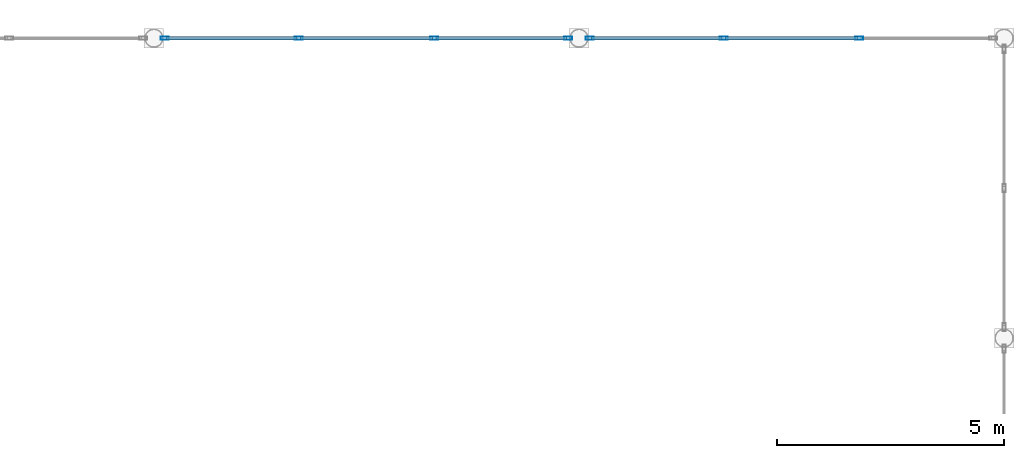
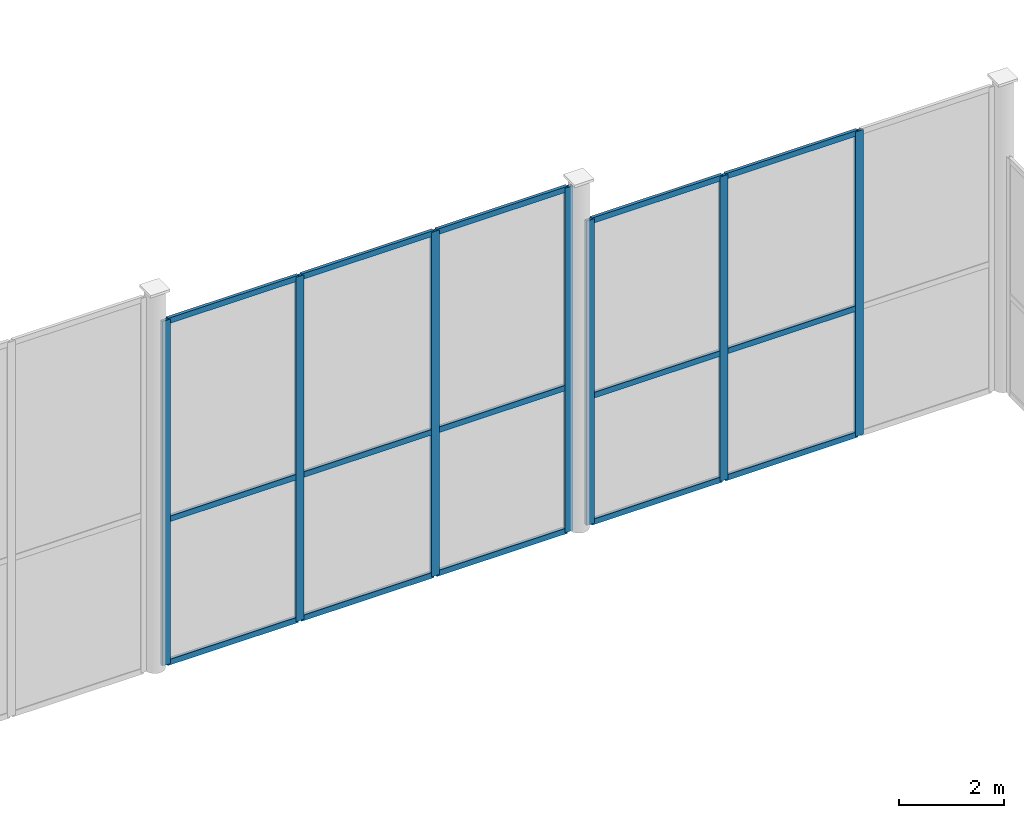
# One storey, part 48 of 77: 22 members, 2 elements without a shape of their own.
"""IFC4 building model written with IfcOpenShell, lengths in metres."""

from ifc_helpers import new_model, si_unit, direction, frame, origin, origin_2d, place, context, subcontext, project, spatial, hollow_rectangle, extrude, material, layer, layer_set, material_profile, profile_set, type_object, element, aggregate, save


model = new_model("IFC4")

# Units and contexts
model_context = context("Model", 3, precision=1e-05, world=origin(), true_north=direction((0.0, 1.0)))
body_context = subcontext(model_context, "Body", "Model", "MODEL_VIEW")
ifc_project = project(units=[si_unit("LENGTHUNIT", "METRE"), si_unit("AREAUNIT", "SQUARE_METRE"), si_unit("VOLUMEUNIT", "CUBIC_METRE"), si_unit("PLANEANGLEUNIT", "RADIAN"), si_unit("MASSUNIT", "GRAM", prefix="KILO")], contexts=[model_context])

# Site, building, storey
site_placement = place(None, origin())
site = spatial("IfcSite", under=ifc_project, at=site_placement, CompositionType="ELEMENT")
building_placement = place(site_placement, origin())
building = spatial("IfcBuilding", under=site, at=building_placement, Name="Quillay Park Conservatory", CompositionType="ELEMENT")
storey_placement = place(building_placement, frame((0.0, 0.0, 5.39990234375)))
storey = spatial("IfcBuildingStorey", under=building, at=storey_placement, Name="L01", CompositionType="ELEMENT", Elevation=5.39990234375)

# Curtain wall, members
ifc_material_1 = material(Name="Thermally Broken Anodised Aluminium 6063-T6", Category="aluminium")
ifc_layer = layer(ifc_material_1, 0.219970703125)
ifc_layer_set = layer_set([ifc_layer], Name="UNITISED CURTAIN WALL CONSERVATORY (Thermally Broken Anodised Aluminium 6063-T6)")
curtain_wall_type = type_object("IfcCurtainWallType", Name="UNITISED CURTAIN WALL CONSERVATORY", PredefinedType="USERDEFINED", material=ifc_layer_set)
curtain_wall_1_placement = place(storey_placement, origin())
curtain_wall_1 = element("IfcCurtainWall", 1, at=curtain_wall_1_placement, inside=storey, type_object=curtain_wall_type, Name="L01 Unitised Curtain Wall 160", ObjectType="UNITISED CURTAIN WALL", PredefinedType="USERDEFINED")
ifc_material_2 = material(Name="Thermally Broken Anodised Aluminium 6063-T6", Category="aluminium")
ifc_material_profile_1 = material_profile(ifc_material_2, hollow_rectangle(XDim=0.070068359375, YDim=0.179931640625, WallThickness=0.00390625, at=origin_2d()), Name="AL70x180x4")
ifc_profile_set_1 = profile_set([ifc_material_profile_1], Name="Thermally Broken Anodised Aluminium 6063-T6")
member_type_1 = type_object("IfcMemberType", Name="CURTAIN WALL MULLION 70 X180", PredefinedType="MULLION", material=ifc_profile_set_1)
member_1_placement = place(storey_placement, frame((96.3759765625, 113.39990234375, 0.0), z_axis=(0.0, 0.0, 1.0), x_axis=(0.0, 1.0, 0.0)))
member_1 = element("IfcMember", 2, at=member_1_placement, type_object=member_type_1, Name="CW-C1 mullion 1", PredefinedType="MULLION", context=body_context, shape_type="SweptSolid", body=[
    extrude(hollow_rectangle(XDim=0.070068359375, YDim=0.179931640625, WallThickness=0.00390625, at=origin_2d()), origin(), (0.0, 0.0, 1.0), 8.037841796875),
])
member_2_placement = place(storey_placement, frame((99.32470703125, 113.39990234375, 0.0), z_axis=(0.0, 0.0, 1.0), x_axis=(0.0, 1.0, 0.0)))
member_2 = element("IfcMember", 3, at=member_2_placement, type_object=member_type_1, Name="CW-C1 mullion 2", PredefinedType="MULLION", context=body_context, shape_type="SweptSolid", body=[
    extrude(hollow_rectangle(XDim=0.070068359375, YDim=0.179931640625, WallThickness=0.00390625, at=origin_2d()), origin(), (0.0, 0.0, 1.0), 8.037841796875),
])
member_3_placement = place(storey_placement, frame((102.30859375, 113.39990234375, 0.0), z_axis=(0.0, 0.0, 1.0), x_axis=(0.0, 1.0, 0.0)))
member_3 = element("IfcMember", 4, at=member_3_placement, type_object=member_type_1, Name="CW-C1 mullion 3", PredefinedType="MULLION", context=body_context, shape_type="SweptSolid", body=[
    extrude(hollow_rectangle(XDim=0.070068359375, YDim=0.179931640625, WallThickness=0.00390625, at=origin_2d()), origin(), (0.0, 0.0, 1.0), 8.037841796875),
])
member_4_placement = place(storey_placement, frame((105.25732421875, 113.39990234375, 0.0), z_axis=(0.0, 0.0, 1.0), x_axis=(0.0, 1.0, 0.0)))
member_4 = element("IfcMember", 5, at=member_4_placement, type_object=member_type_1, Name="CW-C1 mullion 4", PredefinedType="MULLION", context=body_context, shape_type="SweptSolid", body=[
    extrude(hollow_rectangle(XDim=0.070068359375, YDim=0.179931640625, WallThickness=0.00390625, at=origin_2d()), origin(), (0.0, 0.0, 1.0), 8.037841796875),
])

curtain_wall_2_placement = place(storey_placement, origin())
curtain_wall_2 = element("IfcCurtainWall", 6, at=curtain_wall_2_placement, inside=storey, type_object=curtain_wall_type, Name="L01 Unitised Curtain Wall 162", ObjectType="UNITISED CURTAIN WALL", PredefinedType="USERDEFINED")
member_5_placement = place(storey_placement, frame((105.7314453125, 113.39990234375, 0.0), z_axis=(0.0, 0.0, 1.0), x_axis=(0.0, 1.0, 0.0)))
member_5 = element("IfcMember", 7, at=member_5_placement, type_object=member_type_1, Name="CW-C1 mullion 1", PredefinedType="MULLION", context=body_context, shape_type="SweptSolid", body=[
    extrude(hollow_rectangle(XDim=0.070068359375, YDim=0.179931640625, WallThickness=0.00390625, at=origin_2d()), origin(), (0.0, 0.0, 1.0), 7.104248046875),
])
member_6_placement = place(storey_placement, frame((108.68017578125, 113.39990234375, 0.0), z_axis=(0.0, 0.0, 1.0), x_axis=(0.0, 1.0, 0.0)))
member_6 = element("IfcMember", 8, at=member_6_placement, type_object=member_type_1, Name="CW-C1 mullion 2", PredefinedType="MULLION", context=body_context, shape_type="SweptSolid", body=[
    extrude(hollow_rectangle(XDim=0.070068359375, YDim=0.179931640625, WallThickness=0.00390625, at=origin_2d()), origin(), (0.0, 0.0, 1.0), 7.104248046875),
])
member_7_placement = place(storey_placement, frame((111.6640625, 113.39990234375, 0.0), z_axis=(0.0, 0.0, 1.0), x_axis=(0.0, 1.0, 0.0)))
member_7 = element("IfcMember", 9, at=member_7_placement, type_object=member_type_1, Name="CW-C1 mullion 3", PredefinedType="MULLION", context=body_context, shape_type="SweptSolid", body=[
    extrude(hollow_rectangle(XDim=0.070068359375, YDim=0.179931640625, WallThickness=0.00390625, at=origin_2d()), origin(), (0.0, 0.0, 1.0), 7.104248046875),
])

# Member
ifc_material_3 = material(Name="Thermally Broken Anodised Aluminium 6063-T6", Category="aluminium")
ifc_material_profile_2 = material_profile(ifc_material_3, hollow_rectangle(XDim=0.070068359375, YDim=0.1298828125, WallThickness=0.003173828125, at=origin_2d()), Name="AL70x130x3.2")
ifc_profile_set_2 = profile_set([ifc_material_profile_2], Name="Thermally Broken Anodised Aluminium 6063-T6")
member_type_2 = type_object("IfcMemberType", Name="CURTAIN WALL TRANSOM 70 X130", PredefinedType="USERDEFINED", material=ifc_profile_set_2)
member_8_placement = place(storey_placement, frame((96.410888671875, 113.39990234375, 0.03515625), z_axis=(1.0, 0.0, 0.0), x_axis=(0.0, 1.0, 0.0)))
member_8 = element("IfcMember", 10, at=member_8_placement, type_object=member_type_2, Name="CW-C1 transom 1.1", ObjectType="TRANSOM", PredefinedType="USERDEFINED", context=body_context, shape_type="SweptSolid", body=[
    extrude(hollow_rectangle(XDim=0.070068359375, YDim=0.1298828125, WallThickness=0.003173828125, at=origin_2d()), origin(), (0.0, 0.0, 1.0), 2.87890625),
])

member_9_placement = place(storey_placement, frame((96.410888671875, 113.39990234375, 3.3759765625), z_axis=(1.0, 0.0, 0.0), x_axis=(0.0, 1.0, 0.0)))
member_9 = element("IfcMember", 11, at=member_9_placement, type_object=member_type_2, Name="CW-C1 transom 1.2", ObjectType="TRANSOM", PredefinedType="USERDEFINED", context=body_context, shape_type="SweptSolid", body=[
    extrude(hollow_rectangle(XDim=0.070068359375, YDim=0.1298828125, WallThickness=0.003173828125, at=origin_2d()), origin(), (0.0, 0.0, 1.0), 2.87890625),
])

member_10_placement = place(storey_placement, frame((96.410888671875, 113.39990234375, 8.0029296875), z_axis=(1.0, 0.0, 0.0), x_axis=(0.0, 1.0, 0.0)))
member_10 = element("IfcMember", 12, at=member_10_placement, type_object=member_type_2, Name="CW-C1 transom 1.3", ObjectType="TRANSOM", PredefinedType="USERDEFINED", context=body_context, shape_type="SweptSolid", body=[
    extrude(hollow_rectangle(XDim=0.070068359375, YDim=0.1298828125, WallThickness=0.003173828125, at=origin_2d()), origin(), (0.0, 0.0, 1.0), 2.87890625),
])

member_11_placement = place(storey_placement, frame((99.359619140625, 113.39990234375, 0.03515625), z_axis=(1.0, 0.0, 0.0), x_axis=(0.0, 1.0, 0.0)))
member_11 = element("IfcMember", 13, at=member_11_placement, type_object=member_type_2, Name="CW-C1 transom 2.1", ObjectType="TRANSOM", PredefinedType="USERDEFINED", context=body_context, shape_type="SweptSolid", body=[
    extrude(hollow_rectangle(XDim=0.070068359375, YDim=0.1298828125, WallThickness=0.003173828125, at=origin_2d()), origin(), (0.0, 0.0, 1.0), 2.9140625),
])

member_12_placement = place(storey_placement, frame((99.359619140625, 113.39990234375, 3.3759765625), z_axis=(1.0, 0.0, 0.0), x_axis=(0.0, 1.0, 0.0)))
member_12 = element("IfcMember", 14, at=member_12_placement, type_object=member_type_2, Name="CW-C1 transom 2.2", ObjectType="TRANSOM", PredefinedType="USERDEFINED", context=body_context, shape_type="SweptSolid", body=[
    extrude(hollow_rectangle(XDim=0.070068359375, YDim=0.1298828125, WallThickness=0.003173828125, at=origin_2d()), origin(), (0.0, 0.0, 1.0), 2.9140625),
])

member_13_placement = place(storey_placement, frame((99.359619140625, 113.39990234375, 8.0029296875), z_axis=(1.0, 0.0, 0.0), x_axis=(0.0, 1.0, 0.0)))
member_13 = element("IfcMember", 15, at=member_13_placement, type_object=member_type_2, Name="CW-C1 transom 2.3", ObjectType="TRANSOM", PredefinedType="USERDEFINED", context=body_context, shape_type="SweptSolid", body=[
    extrude(hollow_rectangle(XDim=0.070068359375, YDim=0.1298828125, WallThickness=0.003173828125, at=origin_2d()), origin(), (0.0, 0.0, 1.0), 2.9140625),
])

member_14_placement = place(storey_placement, frame((102.343505859375, 113.39990234375, 0.03515625), z_axis=(1.0, 0.0, 0.0), x_axis=(0.0, 1.0, 0.0)))
member_14 = element("IfcMember", 16, at=member_14_placement, type_object=member_type_2, Name="CW-C1 transom 3.1", ObjectType="TRANSOM", PredefinedType="USERDEFINED", context=body_context, shape_type="SweptSolid", body=[
    extrude(hollow_rectangle(XDim=0.070068359375, YDim=0.1298828125, WallThickness=0.003173828125, at=origin_2d()), origin(), (0.0, 0.0, 1.0), 2.87890625),
])

member_15_placement = place(storey_placement, frame((102.343505859375, 113.39990234375, 3.3759765625), z_axis=(1.0, 0.0, 0.0), x_axis=(0.0, 1.0, 0.0)))
member_15 = element("IfcMember", 17, at=member_15_placement, type_object=member_type_2, Name="CW-C1 transom 3.2", ObjectType="TRANSOM", PredefinedType="USERDEFINED", context=body_context, shape_type="SweptSolid", body=[
    extrude(hollow_rectangle(XDim=0.070068359375, YDim=0.1298828125, WallThickness=0.003173828125, at=origin_2d()), origin(), (0.0, 0.0, 1.0), 2.87890625),
])

member_16_placement = place(storey_placement, frame((102.343505859375, 113.39990234375, 8.0029296875), z_axis=(1.0, 0.0, 0.0), x_axis=(0.0, 1.0, 0.0)))
member_16 = element("IfcMember", 18, at=member_16_placement, type_object=member_type_2, Name="CW-C1 transom 3.3", ObjectType="TRANSOM", PredefinedType="USERDEFINED", context=body_context, shape_type="SweptSolid", body=[
    extrude(hollow_rectangle(XDim=0.070068359375, YDim=0.1298828125, WallThickness=0.003173828125, at=origin_2d()), origin(), (0.0, 0.0, 1.0), 2.87890625),
])

aggregate(curtain_wall_1, [member_1, member_2, member_3, member_4, member_8, member_9, member_10, member_11, member_12, member_13, member_14, member_15, member_16])

member_17_placement = place(storey_placement, frame((105.766357421875, 113.39990234375, 0.03515625), z_axis=(1.0, 0.0, 0.0), x_axis=(0.0, 1.0, 0.0)))
member_17 = element("IfcMember", 19, at=member_17_placement, type_object=member_type_2, Name="CW-C1 transom 1.1", ObjectType="TRANSOM", PredefinedType="USERDEFINED", context=body_context, shape_type="SweptSolid", body=[
    extrude(hollow_rectangle(XDim=0.070068359375, YDim=0.1298828125, WallThickness=0.003173828125, at=origin_2d()), origin(), (0.0, 0.0, 1.0), 2.87890625),
])

member_18_placement = place(storey_placement, frame((105.766357421875, 113.39990234375, 2.98388671875), z_axis=(1.0, 0.0, 0.0), x_axis=(0.0, 1.0, 0.0)))
member_18 = element("IfcMember", 20, at=member_18_placement, type_object=member_type_2, Name="CW-C1 transom 1.2", ObjectType="TRANSOM", PredefinedType="USERDEFINED", context=body_context, shape_type="SweptSolid", body=[
    extrude(hollow_rectangle(XDim=0.070068359375, YDim=0.1298828125, WallThickness=0.003173828125, at=origin_2d()), origin(), (0.0, 0.0, 1.0), 2.87890625),
])

member_19_placement = place(storey_placement, frame((105.766357421875, 113.39990234375, 7.0693359375), z_axis=(1.0, 0.0, 0.0), x_axis=(0.0, 1.0, 0.0)))
member_19 = element("IfcMember", 21, at=member_19_placement, type_object=member_type_2, Name="CW-C1 transom 1.3", ObjectType="TRANSOM", PredefinedType="USERDEFINED", context=body_context, shape_type="SweptSolid", body=[
    extrude(hollow_rectangle(XDim=0.070068359375, YDim=0.1298828125, WallThickness=0.003173828125, at=origin_2d()), origin(), (0.0, 0.0, 1.0), 2.87890625),
])

member_20_placement = place(storey_placement, frame((108.71533203125, 113.39990234375, 0.03515625), z_axis=(1.0, 0.0, 0.0), x_axis=(0.0, 1.0, 0.0)))
member_20 = element("IfcMember", 22, at=member_20_placement, type_object=member_type_2, Name="CW-C1 transom 2.1", ObjectType="TRANSOM", PredefinedType="USERDEFINED", context=body_context, shape_type="SweptSolid", body=[
    extrude(hollow_rectangle(XDim=0.070068359375, YDim=0.1298828125, WallThickness=0.003173828125, at=origin_2d()), origin(), (0.0, 0.0, 1.0), 2.913818359375),
])

member_21_placement = place(storey_placement, frame((108.71533203125, 113.39990234375, 2.98388671875), z_axis=(1.0, 0.0, 0.0), x_axis=(0.0, 1.0, 0.0)))
member_21 = element("IfcMember", 23, at=member_21_placement, type_object=member_type_2, Name="CW-C1 transom 2.2", ObjectType="TRANSOM", PredefinedType="USERDEFINED", context=body_context, shape_type="SweptSolid", body=[
    extrude(hollow_rectangle(XDim=0.070068359375, YDim=0.1298828125, WallThickness=0.003173828125, at=origin_2d()), origin(), (0.0, 0.0, 1.0), 2.913818359375),
])

member_22_placement = place(storey_placement, frame((108.71533203125, 113.39990234375, 7.0693359375), z_axis=(1.0, 0.0, 0.0), x_axis=(0.0, 1.0, 0.0)))
member_22 = element("IfcMember", 24, at=member_22_placement, type_object=member_type_2, Name="CW-C1 transom 2.3", ObjectType="TRANSOM", PredefinedType="USERDEFINED", context=body_context, shape_type="SweptSolid", body=[
    extrude(hollow_rectangle(XDim=0.070068359375, YDim=0.1298828125, WallThickness=0.003173828125, at=origin_2d()), origin(), (0.0, 0.0, 1.0), 2.913818359375),
])

aggregate(curtain_wall_2, [member_5, member_6, member_7, member_17, member_18, member_19, member_20, member_21, member_22])

save(model, "model.ifc")
